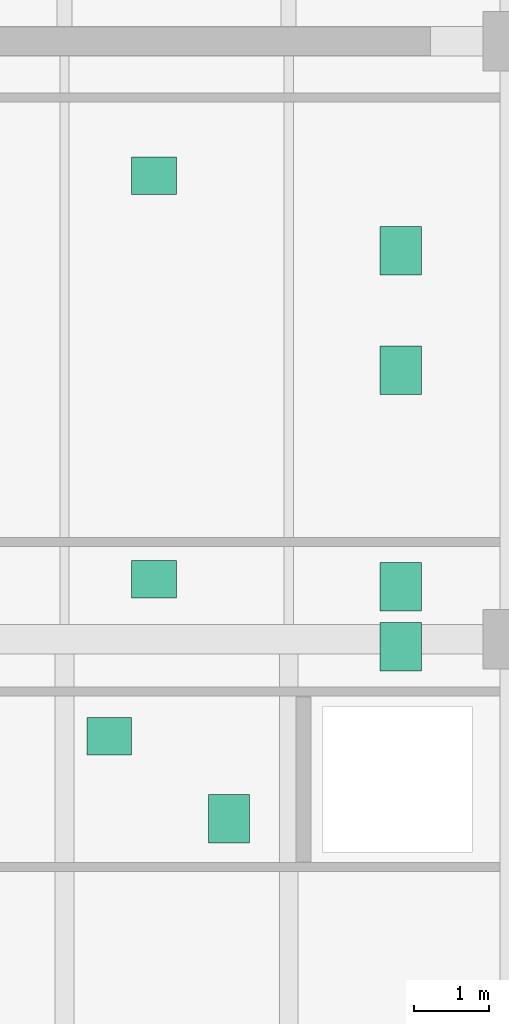
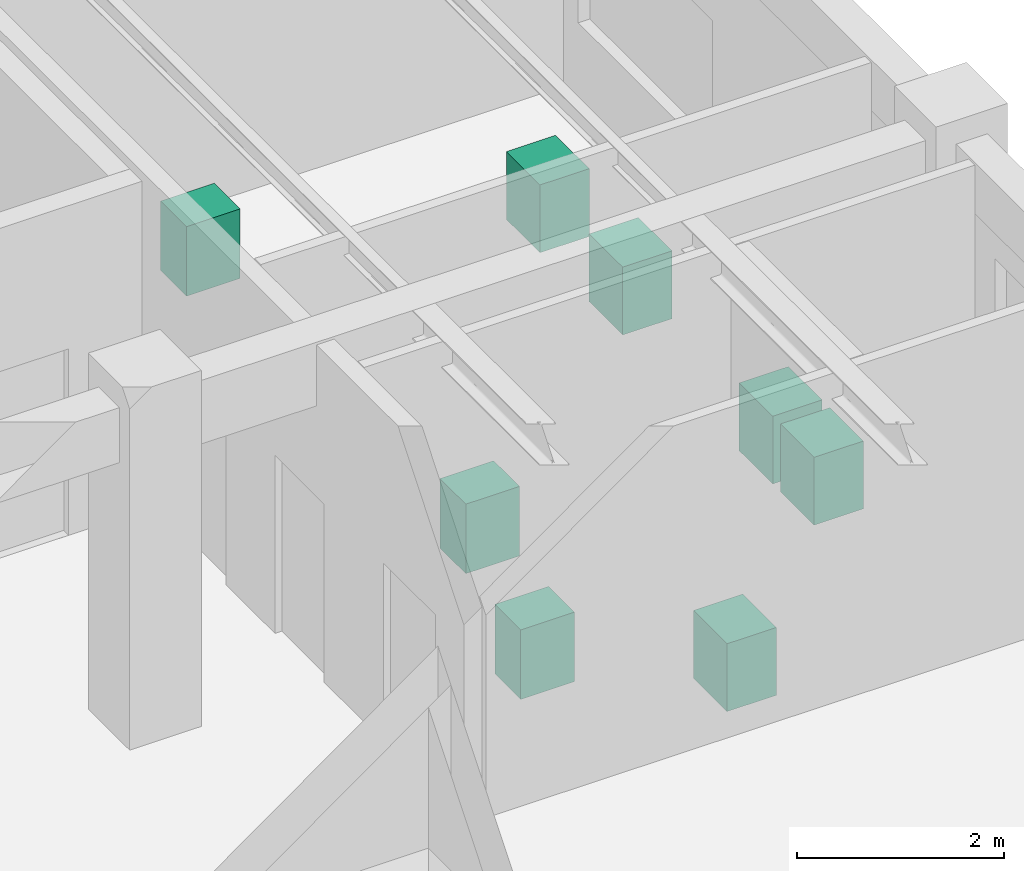
# One storey, part 148 of 148: 8 sanitary terminals.
"""IFC4 building model written with IfcOpenShell, lengths in metres."""

from ifc_helpers import new_model, si_unit, derived_unit, direction, frame, origin, origin_2d, place, context, subcontext, project, spatial, rectangle, extrude, material, type_object, element, save


model = new_model("IFC4")

# Units and contexts
model_context = context("Model", 3, precision=1e-05, world=origin(), true_north=direction((0.0, 1.0)))
body_context = subcontext(model_context, "Body", "Model", "MODEL_VIEW")
ifc_project = project(units=[si_unit("LENGTHUNIT", "METRE"), si_unit("AREAUNIT", "SQUARE_METRE"), si_unit("VOLUMEUNIT", "CUBIC_METRE"), si_unit("PLANEANGLEUNIT", "RADIAN"), si_unit("MASSUNIT", "GRAM", prefix="KILO"), derived_unit("THERMALTRANSMITTANCEUNIT", [(si_unit("MASSUNIT", "GRAM", prefix="KILO"), 1), (si_unit("TIMEUNIT", "SECOND"), -3), (si_unit("THERMODYNAMICTEMPERATUREUNIT", "KELVIN"), -1)])], contexts=[model_context])

# Site, building, storey
site_placement = place(None, origin())
site = spatial("IfcSite", under=ifc_project, at=site_placement, CompositionType="ELEMENT")
building_placement = place(site_placement, origin())
building = spatial("IfcBuilding", under=site, at=building_placement, Name="Zhenchuan Archway Interchange", CompositionType="ELEMENT")
storey_placement = place(building_placement, frame((0.0, 0.0, 10.199951171875)))
storey = spatial("IfcBuildingStorey", under=building, at=storey_placement, Name="L02", CompositionType="ELEMENT", Elevation=10.199951171875)

# Sanitary terminals
ifc_material = material(Name="Vitreous China", Category="ceramic")
sanitary_terminal_type_1 = type_object("IfcSanitaryTerminalType", Name="SAN_WASHHANDBASIN", PredefinedType="WASHHANDBASIN", material=ifc_material)
for number, where, z_axis, x_axis, name in (
    (1, (165.60009765625, 54.699951171875, 0.0), (0.0, 0.0, 1.0), (1.0, 0.0, 0.0), "Sanitary fixture 02 (L02)"),
    (2, (166.199951171875, 56.800048828125, 0.0), (0.0, 0.0, 1.0), (1.0, 0.0, 0.0), "Sanitary fixture 05 (L02)"),
    (3, (166.199951171875, 62.199951171875, 0.0), (0.0, 0.0, 1.0), (1.0, 0.0, 0.0), "Sanitary fixture 08 (L02)"),
):
    element("IfcSanitaryTerminal", number, at=place(storey_placement, frame(where, z_axis=z_axis, x_axis=x_axis)), inside=storey, type_object=sanitary_terminal_type_1, Name=name, PredefinedType="WASHHANDBASIN", context=body_context, shape_type="SweptSolid", body=[
        extrude(rectangle(XDim=0.60009765625, YDim=0.5, at=origin_2d()), origin(), (0.0, 0.0, 1.0), 0.820068359375),
    ])
sanitary_terminal_type_2 = type_object("IfcSanitaryTerminalType", Name="SAN_WCSEAT", PredefinedType="WCSEAT", material=ifc_material)
for number, where, z_axis, x_axis, name in (
    (4, (167.199951171875, 53.60009765625, 0.0), (0.0, 0.0, 1.0), (1.0, 0.0, 0.0), "Sanitary fixture 01 (L02)"),
    (5, (169.5, 55.89990234375, 0.0), (0.0, 0.0, 1.0), (1.0, 0.0, 0.0), "Sanitary fixture 03 (L02)"),
    (6, (169.5, 56.699951171875, 0.0), (0.0, 0.0, 1.0), (1.0, 0.0, 0.0), "Sanitary fixture 04 (L02)"),
    (7, (169.5, 59.60009765625, 0.0), (0.0, 0.0, 1.0), (1.0, 0.0, 0.0), "Sanitary fixture 06 (L02)"),
    (8, (169.5, 61.199951171875, 0.0), (0.0, 0.0, 1.0), (1.0, 0.0, 0.0), "Sanitary fixture 07 (L02)"),
):
    element("IfcSanitaryTerminal", number, at=place(storey_placement, frame(where, z_axis=z_axis, x_axis=x_axis)), inside=storey, type_object=sanitary_terminal_type_2, Name=name, PredefinedType="WCSEAT", context=body_context, shape_type="SweptSolid", body=[
        extrude(rectangle(XDim=0.550048828125, YDim=0.64990234375, at=origin_2d()), origin(), (0.0, 0.0, 1.0), 0.800048828125),
    ])

save(model, "model.ifc")
